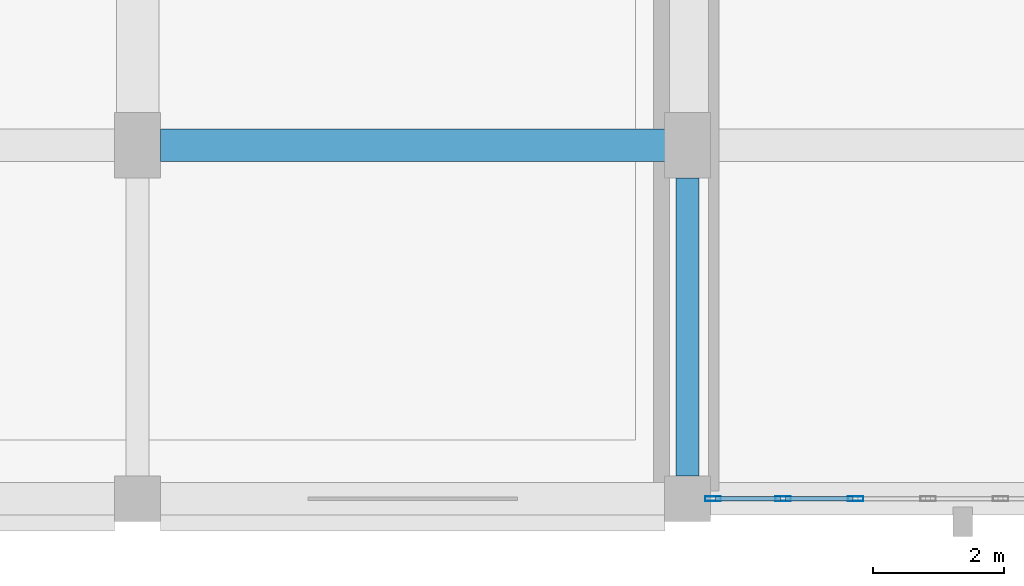
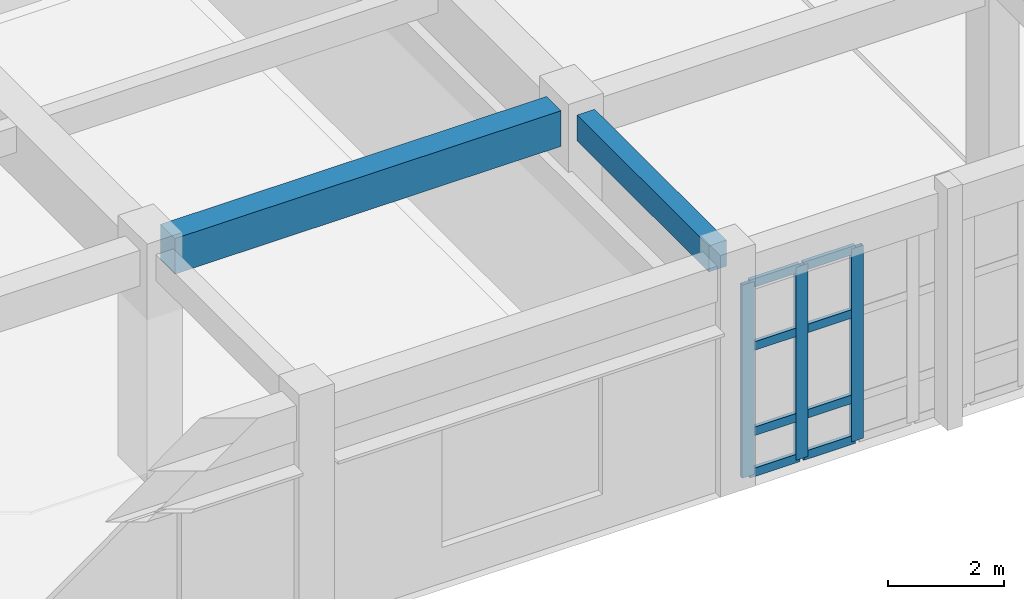
# One storey, part 25 of 106: 11 members, 2 beams, 1 element without a shape of its own.
"""IFC4 building model written with IfcOpenShell, lengths in metres."""

from ifc_helpers import new_model, si_unit, direction, frame, origin, origin_2d, place, context, subcontext, project, spatial, rectangle, hollow_rectangle, extrude, material, layer, layer_set, material_profile, profile_set, type_object, element, aggregate, save


model = new_model("IFC4")

# Units and contexts
model_context = context("Model", 3, precision=1e-05, world=origin(), true_north=direction((0.0, 1.0)))
body_context = subcontext(model_context, "Body", "Model", "MODEL_VIEW")
ifc_project = project(units=[si_unit("LENGTHUNIT", "METRE"), si_unit("AREAUNIT", "SQUARE_METRE"), si_unit("VOLUMEUNIT", "CUBIC_METRE"), si_unit("PLANEANGLEUNIT", "RADIAN"), si_unit("MASSUNIT", "GRAM", prefix="KILO")], contexts=[model_context])

# Site, building, storey
site_placement = place(None, origin())
site = spatial("IfcSite", under=ifc_project, at=site_placement, CompositionType="ELEMENT")
building_placement = place(site_placement, origin())
building = spatial("IfcBuilding", under=site, at=building_placement, Name="Krzemoval Escarpment Law Courts", CompositionType="ELEMENT")
storey_placement = place(building_placement, frame((0.0, 0.0, 5.10009765625)))
storey = spatial("IfcBuildingStorey", under=building, at=storey_placement, Name="L01", CompositionType="ELEMENT", Elevation=5.10009765625)

# Beams
ifc_material_1 = material(Name="Concrete C40/50", Category="concrete")
ifc_material_profile_1 = material_profile(ifc_material_1, rectangle(XDim=0.35009765625, YDim=0.550048828125, at=origin_2d()), Name="RCB 350x550")
ifc_profile_set_1 = profile_set([ifc_material_profile_1], Name="Concrete C40/50")
beam_type_1 = type_object("IfcBeamType", Name="BM-RC-350x550", PredefinedType="BEAM", material=ifc_profile_set_1)
beam_1_placement = place(storey_placement, frame((109.199951171875, 0.35009765625, 4.544921875), z_axis=(0.0, 1.0, 0.0), x_axis=(-1.0, 0.0, 0.0)))
element("IfcBeam", 1, at=beam_1_placement, inside=storey, type_object=beam_type_1, Name="Beam FG-L01-1494", PredefinedType="BEAM", context=body_context, shape_type="SweptSolid", body=[
    extrude(rectangle(XDim=0.35009765625, YDim=0.550048828125, at=origin_2d()), origin(), (0.0, 0.0, 1.0), 4.5498046875),
])
ifc_material_2 = material(Name="Concrete C40/50", Category="concrete")
ifc_material_profile_2 = material_profile(ifc_material_2, rectangle(XDim=0.5, YDim=0.75, at=origin_2d()), Name="RCB 500x750")
ifc_profile_set_2 = profile_set([ifc_material_profile_2], Name="Concrete C40/50")
beam_type_2 = type_object("IfcBeamType", Name="BM-RC-500x750", PredefinedType="BEAM", material=ifc_profile_set_2)
beam_2_placement = place(storey_placement, frame((101.14990234375, 5.39990234375, 4.44482421875), z_axis=(1.0, 0.0, 0.0), x_axis=(0.0, 1.0, 0.0)))
element("IfcBeam", 2, at=beam_2_placement, inside=storey, type_object=beam_type_2, Name="Beam FG-L01-1175", PredefinedType="BEAM", context=body_context, shape_type="SweptSolid", body=[
    extrude(rectangle(XDim=0.5, YDim=0.75, at=origin_2d()), origin(), (0.0, 0.0, 1.0), 7.7001953125),
])

# Curtain wall, members
ifc_material_3 = material(Name="Aluminium 6063-T6", Category="aluminium")
ifc_layer = layer(ifc_material_3, 0.239990234375)
ifc_layer_set = layer_set([ifc_layer], Name="Aluminium 6063-T6")
curtain_wall_type = type_object("IfcCurtainWallType", Name="CW-LIBR-4800", PredefinedType="USERDEFINED", material=ifc_layer_set)
curtain_wall_placement = place(storey_placement, origin())
curtain_wall = element("IfcCurtainWall", 3, at=curtain_wall_placement, inside=storey, type_object=curtain_wall_type, Name="Unitised Curtain Wall FCW-L01-044", ObjectType="UNITISED_CURTAIN_WALL", PredefinedType="USERDEFINED")
ifc_material_4 = material(Name="Aluminium 6063-T6", Category="aluminium")
ifc_material_profile_3 = material_profile(ifc_material_4, hollow_rectangle(XDim=0.074951171875, YDim=0.239990234375, WallThickness=0.0048828125, at=origin_2d()), Name="ALU M75x240")
ifc_profile_set_3 = profile_set([ifc_material_profile_3], Name="Aluminium 6063-T6")
member_type_1 = type_object("IfcMemberType", Name="CWM-75x240", PredefinedType="MULLION", material=ifc_profile_set_3)
member_1_placement = place(storey_placement, frame((111.764404296875, 0.0, 0.0), z_axis=(0.0, 0.0, 1.0), x_axis=(0.0, -1.0, 0.0)))
member_1 = element("IfcMember", 4, at=member_1_placement, type_object=member_type_1, Name="FCW-L01-044 mullion 6", PredefinedType="MULLION", context=body_context, shape_type="SweptSolid", body=[
    extrude(hollow_rectangle(XDim=0.074951171875, YDim=0.239990234375, WallThickness=0.0048828125, at=origin_2d()), origin(), (0.0, 0.0, 1.0), 4.06982421875),
])
member_2_placement = place(storey_placement, frame((110.6572265625, 0.0, 0.0), z_axis=(0.0, 0.0, 1.0), x_axis=(0.0, -1.0, 0.0)))
member_2 = element("IfcMember", 5, at=member_2_placement, type_object=member_type_1, Name="FCW-L01-044 mullion 7", PredefinedType="MULLION", context=body_context, shape_type="SweptSolid", body=[
    extrude(hollow_rectangle(XDim=0.074951171875, YDim=0.239990234375, WallThickness=0.0048828125, at=origin_2d()), origin(), (0.0, 0.0, 1.0), 4.06982421875),
])
member_3_placement = place(storey_placement, frame((109.58740234375, 0.0, 0.0), z_axis=(0.0, 0.0, 1.0), x_axis=(0.0, -1.0, 0.0)))
member_3 = element("IfcMember", 6, at=member_3_placement, type_object=member_type_1, Name="FCW-L01-044 mullion 8", PredefinedType="MULLION", context=body_context, shape_type="SweptSolid", body=[
    extrude(hollow_rectangle(XDim=0.074951171875, YDim=0.239990234375, WallThickness=0.0048828125, at=origin_2d()), origin(), (0.0, 0.0, 1.0), 4.06982421875),
])
ifc_material_5 = material(Name="Aluminium 6063-T6", Category="aluminium")
ifc_material_profile_4 = material_profile(ifc_material_5, hollow_rectangle(XDim=0.074951171875, YDim=0.179931640625, WallThickness=0.0048828125, at=origin_2d()), Name="ALU T75x180")
ifc_profile_set_4 = profile_set([ifc_material_profile_4], Name="Aluminium 6063-T6")
member_type_2 = type_object("IfcMemberType", Name="CWT-75x180", PredefinedType="USERDEFINED", material=ifc_profile_set_4)
member_4_placement = place(storey_placement, frame((111.726806640625, 0.0, 0.037353515625), z_axis=(-1.0, 0.0, 0.0), x_axis=(0.0, -1.0, 0.0)))
member_4 = element("IfcMember", 7, at=member_4_placement, type_object=member_type_2, Name="FCW-L01-044 transom 6.1", ObjectType="TRANSOM", PredefinedType="USERDEFINED", context=body_context, shape_type="SweptSolid", body=[
    extrude(hollow_rectangle(XDim=0.074951171875, YDim=0.179931640625, WallThickness=0.0048828125, at=origin_2d()), origin(), (0.0, 0.0, 1.0), 1.0322265625),
])
member_5_placement = place(storey_placement, frame((111.726806640625, 0.0, 0.89990234375), z_axis=(-1.0, 0.0, 0.0), x_axis=(0.0, -1.0, 0.0)))
member_5 = element("IfcMember", 8, at=member_5_placement, type_object=member_type_2, Name="FCW-L01-044 transom 6.2", ObjectType="TRANSOM", PredefinedType="USERDEFINED", context=body_context, shape_type="SweptSolid", body=[
    extrude(hollow_rectangle(XDim=0.074951171875, YDim=0.179931640625, WallThickness=0.0048828125, at=origin_2d()), origin(), (0.0, 0.0, 1.0), 1.0322265625),
])
member_6_placement = place(storey_placement, frame((111.726806640625, 0.0, 2.699951171875), z_axis=(-1.0, 0.0, 0.0), x_axis=(0.0, -1.0, 0.0)))
member_6 = element("IfcMember", 9, at=member_6_placement, type_object=member_type_2, Name="FCW-L01-044 transom 6.3", ObjectType="TRANSOM", PredefinedType="USERDEFINED", context=body_context, shape_type="SweptSolid", body=[
    extrude(hollow_rectangle(XDim=0.074951171875, YDim=0.179931640625, WallThickness=0.0048828125, at=origin_2d()), origin(), (0.0, 0.0, 1.0), 1.0322265625),
])
member_7_placement = place(storey_placement, frame((111.726806640625, 0.0, 4.032470703125), z_axis=(-1.0, 0.0, 0.0), x_axis=(0.0, -1.0, 0.0)))
member_7 = element("IfcMember", 10, at=member_7_placement, type_object=member_type_2, Name="FCW-L01-044 transom 6.4", ObjectType="TRANSOM", PredefinedType="USERDEFINED", context=body_context, shape_type="SweptSolid", body=[
    extrude(hollow_rectangle(XDim=0.074951171875, YDim=0.179931640625, WallThickness=0.0048828125, at=origin_2d()), origin(), (0.0, 0.0, 1.0), 1.0322265625),
])
member_8_placement = place(storey_placement, frame((110.61962890625, 0.0, 0.037353515625), z_axis=(-1.0, 0.0, 0.0), x_axis=(0.0, -1.0, 0.0)))
member_8 = element("IfcMember", 11, at=member_8_placement, type_object=member_type_2, Name="FCW-L01-044 transom 7.1", ObjectType="TRANSOM", PredefinedType="USERDEFINED", context=body_context, shape_type="SweptSolid", body=[
    extrude(hollow_rectangle(XDim=0.074951171875, YDim=0.179931640625, WallThickness=0.0048828125, at=origin_2d()), origin(), (0.0, 0.0, 1.0), 0.99462890625),
])
member_9_placement = place(storey_placement, frame((110.61962890625, 0.0, 0.89990234375), z_axis=(-1.0, 0.0, 0.0), x_axis=(0.0, -1.0, 0.0)))
member_9 = element("IfcMember", 12, at=member_9_placement, type_object=member_type_2, Name="FCW-L01-044 transom 7.2", ObjectType="TRANSOM", PredefinedType="USERDEFINED", context=body_context, shape_type="SweptSolid", body=[
    extrude(hollow_rectangle(XDim=0.074951171875, YDim=0.179931640625, WallThickness=0.0048828125, at=origin_2d()), origin(), (0.0, 0.0, 1.0), 0.99462890625),
])
member_10_placement = place(storey_placement, frame((110.61962890625, 0.0, 2.699951171875), z_axis=(-1.0, 0.0, 0.0), x_axis=(0.0, -1.0, 0.0)))
member_10 = element("IfcMember", 13, at=member_10_placement, type_object=member_type_2, Name="FCW-L01-044 transom 7.3", ObjectType="TRANSOM", PredefinedType="USERDEFINED", context=body_context, shape_type="SweptSolid", body=[
    extrude(hollow_rectangle(XDim=0.074951171875, YDim=0.179931640625, WallThickness=0.0048828125, at=origin_2d()), origin(), (0.0, 0.0, 1.0), 0.99462890625),
])
member_11_placement = place(storey_placement, frame((110.61962890625, 0.0, 4.032470703125), z_axis=(-1.0, 0.0, 0.0), x_axis=(0.0, -1.0, 0.0)))
member_11 = element("IfcMember", 14, at=member_11_placement, type_object=member_type_2, Name="FCW-L01-044 transom 7.4", ObjectType="TRANSOM", PredefinedType="USERDEFINED", context=body_context, shape_type="SweptSolid", body=[
    extrude(hollow_rectangle(XDim=0.074951171875, YDim=0.179931640625, WallThickness=0.0048828125, at=origin_2d()), origin(), (0.0, 0.0, 1.0), 0.99462890625),
])
aggregate(curtain_wall, [member_1, member_2, member_3, member_4, member_5, member_6, member_7, member_8, member_9, member_10, member_11])

save(model, "model.ifc")
